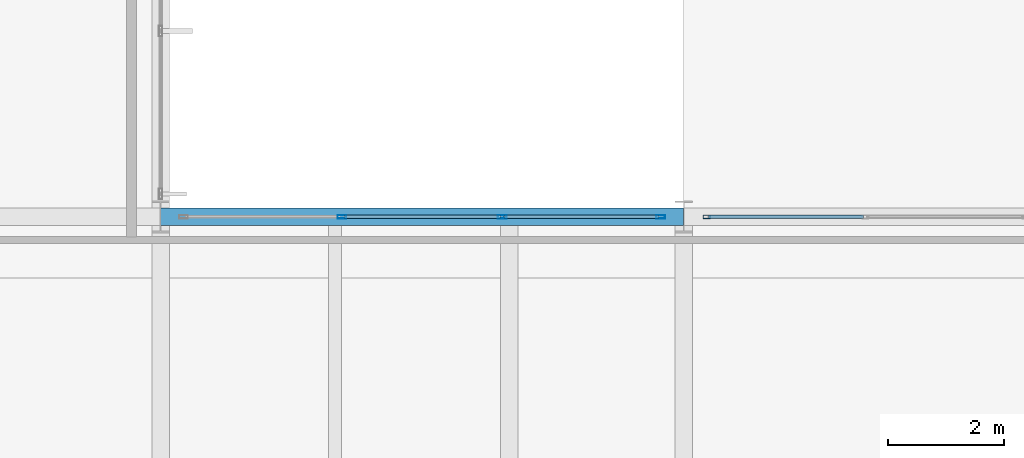
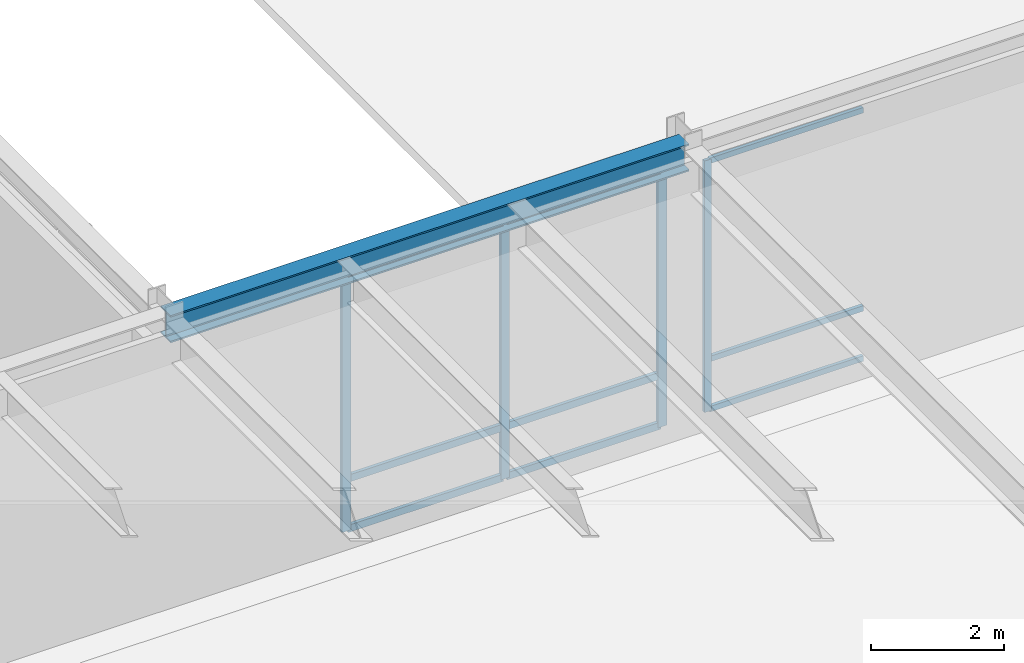
# One storey, part 96 of 143: 13 members, 1 beam, 2 elements without a shape of their own.
"""IFC4 building model written with IfcOpenShell, lengths in metres."""

from ifc_helpers import new_model, si_unit, direction, frame, origin, origin_2d, place, context, subcontext, project, spatial, hollow_rectangle, i_section, extrude, material, layer, layer_set, material_profile, profile_set, type_object, element, aggregate, save


model = new_model("IFC4")

# Units and contexts
model_context = context("Model", 3, precision=1e-05, world=origin(), true_north=direction((0.0, 1.0)))
body_context = subcontext(model_context, "Body", "Model", "MODEL_VIEW")
ifc_project = project(units=[si_unit("LENGTHUNIT", "METRE"), si_unit("AREAUNIT", "SQUARE_METRE"), si_unit("VOLUMEUNIT", "CUBIC_METRE"), si_unit("PLANEANGLEUNIT", "RADIAN"), si_unit("MASSUNIT", "GRAM", prefix="KILO")], contexts=[model_context])

# Site, building, storey
site_placement = place(None, origin())
site = spatial("IfcSite", under=ifc_project, at=site_placement, CompositionType="ELEMENT")
building_placement = place(site_placement, origin())
building = spatial("IfcBuilding", under=site, at=building_placement, Name="Montelvaro Courts of Justice", CompositionType="ELEMENT")
storey_placement = place(building_placement, origin())
storey = spatial("IfcBuildingStorey", under=building, at=storey_placement, Name="L00", CompositionType="ELEMENT", Elevation=0.0)

# Beam
ifc_material_1 = material(Name="Steel S355", Category="steel")
ifc_material_profile_1 = material_profile(ifc_material_1, i_section(OverallWidth=0.300048828125, OverallDepth=0.5, WebThickness=0.014404296875, FlangeThickness=0.028076171875, at=origin_2d()), Name="HEB 500")
ifc_profile_set_1 = profile_set([ifc_material_profile_1], Name="Steel S355")
beam_type = type_object("IfcBeamType", Name="Beam_HEB500", PredefinedType="USERDEFINED", material=ifc_profile_set_1)
beam_placement = place(storey_placement, frame((126.0, 42.0, 4.8701171875), z_axis=(1.0, 0.0, 0.0), x_axis=(0.0, 1.0, 0.0)))
element("IfcBeam", 1, at=beam_placement, inside=storey, type_object=beam_type, Name="Beam B-25 L00", ObjectType="GIRDER", PredefinedType="USERDEFINED", context=body_context, shape_type="SweptSolid", body=[
    extrude(i_section(OverallWidth=0.300048828125, OverallDepth=0.5, WebThickness=0.014404296875, FlangeThickness=0.028076171875, at=origin_2d()), origin(), (0.0, 0.0, 1.0), 9.0),
])

# Curtain wall, member
ifc_material_2 = material(Name="Anodised aluminium EN AW-6063", Category="aluminium")
ifc_layer = layer(ifc_material_2, 0.159912109375)
ifc_layer_set = layer_set([ifc_layer], Name="Anodised aluminium EN AW-6063")
curtain_wall_type = type_object("IfcCurtainWallType", Name="CurtainWall_01_827x508", PredefinedType="USERDEFINED", material=ifc_layer_set)
curtain_wall_1_placement = place(storey_placement, origin())
curtain_wall_1 = element("IfcCurtainWall", 2, at=curtain_wall_1_placement, inside=storey, type_object=curtain_wall_type, Name="Curtain Wall CW-01 (L00)", ObjectType="CURTAIN WALL", PredefinedType="USERDEFINED")
ifc_material_profile_2 = material_profile(ifc_material_2, hollow_rectangle(XDim=0.06005859375, YDim=0.1201171875, WallThickness=0.00341796875, at=origin_2d()), Name="ALU-M 60x120")
ifc_profile_set_2 = profile_set([ifc_material_profile_2], Name="Anodised aluminium EN AW-6063")
member_type_1 = type_object("IfcMemberType", Name="CurtainWall_Mullion_60x120", PredefinedType="MULLION", material=ifc_profile_set_2)
member_1_placement = place(storey_placement, frame((135.39501953125, 42.0, 0.0), z_axis=(0.0, 0.0, 1.0), x_axis=(0.0, -1.0, 0.0)))
member_1 = element("IfcMember", 3, at=member_1_placement, type_object=member_type_1, Name="CW-01 mullion 4", PredefinedType="MULLION", context=body_context, shape_type="SweptSolid", body=[
    extrude(hollow_rectangle(XDim=0.06005859375, YDim=0.1201171875, WallThickness=0.00341796875, at=origin_2d()), origin(), (0.0, 0.0, 1.0), 4.614990234375),
])

# Curtain wall, members
curtain_wall_2_placement = place(storey_placement, origin())
curtain_wall_2 = element("IfcCurtainWall", 4, at=curtain_wall_2_placement, inside=storey, type_object=curtain_wall_type, Name="Curtain Wall CW-01 (L00)", ObjectType="CURTAIN WALL", PredefinedType="USERDEFINED")
ifc_material_profile_3 = material_profile(ifc_material_2, hollow_rectangle(XDim=0.06005859375, YDim=0.14990234375, WallThickness=0.00390625, at=origin_2d()), Name="ALU-M 60x150")
ifc_profile_set_3 = profile_set([ifc_material_profile_3], Name="Anodised aluminium EN AW-6063")
member_type_2 = type_object("IfcMemberType", Name="CurtainWall_Mullion_60x150", PredefinedType="MULLION", material=ifc_profile_set_3)
member_2_placement = place(storey_placement, frame((134.60498046875, 42.0, 0.0), z_axis=(0.0, 0.0, 1.0), x_axis=(0.0, -1.0, 0.0)))
member_2 = element("IfcMember", 5, at=member_2_placement, type_object=member_type_2, Name="CW-01 mullion 1", PredefinedType="MULLION", context=body_context, shape_type="SweptSolid", body=[
    extrude(hollow_rectangle(XDim=0.06005859375, YDim=0.14990234375, WallThickness=0.00390625, at=origin_2d()), origin(), (0.0, 0.0, 1.0), 4.614990234375),
])
member_3_placement = place(storey_placement, frame((131.87841796875, 42.0, 0.0), z_axis=(0.0, 0.0, 1.0), x_axis=(0.0, -1.0, 0.0)))
member_3 = element("IfcMember", 6, at=member_3_placement, type_object=member_type_2, Name="CW-01 mullion 2", PredefinedType="MULLION", context=body_context, shape_type="SweptSolid", body=[
    extrude(hollow_rectangle(XDim=0.06005859375, YDim=0.14990234375, WallThickness=0.00390625, at=origin_2d()), origin(), (0.0, 0.0, 1.0), 4.614990234375),
])
member_4_placement = place(storey_placement, frame((129.12158203125, 42.0, 0.0), z_axis=(0.0, 0.0, 1.0), x_axis=(0.0, -1.0, 0.0)))
member_4 = element("IfcMember", 7, at=member_4_placement, type_object=member_type_2, Name="CW-01 mullion 3", PredefinedType="MULLION", context=body_context, shape_type="SweptSolid", body=[
    extrude(hollow_rectangle(XDim=0.06005859375, YDim=0.14990234375, WallThickness=0.00390625, at=origin_2d()), origin(), (0.0, 0.0, 1.0), 4.614990234375),
])

# Member
ifc_material_profile_4 = material_profile(ifc_material_2, hollow_rectangle(XDim=0.06005859375, YDim=0.10009765625, WallThickness=0.00341796875, at=origin_2d()), Name="ALU-T 60x100")
ifc_profile_set_4 = profile_set([ifc_material_profile_4], Name="Anodised aluminium EN AW-6063")
member_type_3 = type_object("IfcMemberType", Name="CurtainWall_Transom_60x100", PredefinedType="USERDEFINED", material=ifc_profile_set_4)
member_5_placement = place(storey_placement, frame((138.091552734375, 42.0, 0.030029296875), z_axis=(-1.0, 0.0, 0.0), x_axis=(0.0, -1.0, 0.0)))
member_5 = element("IfcMember", 8, at=member_5_placement, type_object=member_type_3, Name="CW-01 transom 3.1", ObjectType="TRANSOM", PredefinedType="USERDEFINED", context=body_context, shape_type="SweptSolid", body=[
    extrude(hollow_rectangle(XDim=0.06005859375, YDim=0.10009765625, WallThickness=0.00341796875, at=origin_2d()), origin(), (0.0, 0.0, 1.0), 2.66650390625),
])

member_6_placement = place(storey_placement, frame((138.091552734375, 42.0, 0.949951171875), z_axis=(-1.0, 0.0, 0.0), x_axis=(0.0, -1.0, 0.0)))
member_6 = element("IfcMember", 9, at=member_6_placement, type_object=member_type_3, Name="CW-01 transom 3.2", ObjectType="TRANSOM", PredefinedType="USERDEFINED", context=body_context, shape_type="SweptSolid", body=[
    extrude(hollow_rectangle(XDim=0.06005859375, YDim=0.10009765625, WallThickness=0.00341796875, at=origin_2d()), origin(), (0.0, 0.0, 1.0), 2.66650390625),
])

member_7_placement = place(storey_placement, frame((138.091552734375, 42.0, 4.5849609375), z_axis=(-1.0, 0.0, 0.0), x_axis=(0.0, -1.0, 0.0)))
member_7 = element("IfcMember", 10, at=member_7_placement, type_object=member_type_3, Name="CW-01 transom 3.3", ObjectType="TRANSOM", PredefinedType="USERDEFINED", context=body_context, shape_type="SweptSolid", body=[
    extrude(hollow_rectangle(XDim=0.06005859375, YDim=0.10009765625, WallThickness=0.00341796875, at=origin_2d()), origin(), (0.0, 0.0, 1.0), 2.66650390625),
])

aggregate(curtain_wall_1, [member_1, member_5, member_6, member_7])

ifc_material_profile_5 = material_profile(ifc_material_2, hollow_rectangle(XDim=0.06005859375, YDim=0.1298828125, WallThickness=0.00390625, at=origin_2d()), Name="ALU-T 60x130")
ifc_profile_set_5 = profile_set([ifc_material_profile_5], Name="Anodised aluminium EN AW-6063")
member_type_4 = type_object("IfcMemberType", Name="CurtainWall_Transom_60x130", PredefinedType="USERDEFINED", material=ifc_profile_set_5)
member_8_placement = place(storey_placement, frame((134.574951171875, 42.0, 0.030029296875), z_axis=(-1.0, 0.0, 0.0), x_axis=(0.0, -1.0, 0.0)))
member_8 = element("IfcMember", 11, at=member_8_placement, type_object=member_type_4, Name="CW-01 transom 1.1", ObjectType="TRANSOM", PredefinedType="USERDEFINED", context=body_context, shape_type="SweptSolid", body=[
    extrude(hollow_rectangle(XDim=0.06005859375, YDim=0.1298828125, WallThickness=0.00390625, at=origin_2d()), origin(), (0.0, 0.0, 1.0), 2.66650390625),
])

member_9_placement = place(storey_placement, frame((134.574951171875, 42.0, 0.949951171875), z_axis=(-1.0, 0.0, 0.0), x_axis=(0.0, -1.0, 0.0)))
member_9 = element("IfcMember", 12, at=member_9_placement, type_object=member_type_4, Name="CW-01 transom 1.2", ObjectType="TRANSOM", PredefinedType="USERDEFINED", context=body_context, shape_type="SweptSolid", body=[
    extrude(hollow_rectangle(XDim=0.06005859375, YDim=0.1298828125, WallThickness=0.00390625, at=origin_2d()), origin(), (0.0, 0.0, 1.0), 2.66650390625),
])

member_10_placement = place(storey_placement, frame((134.574951171875, 42.0, 4.5849609375), z_axis=(-1.0, 0.0, 0.0), x_axis=(0.0, -1.0, 0.0)))
member_10 = element("IfcMember", 13, at=member_10_placement, type_object=member_type_4, Name="CW-01 transom 1.3", ObjectType="TRANSOM", PredefinedType="USERDEFINED", context=body_context, shape_type="SweptSolid", body=[
    extrude(hollow_rectangle(XDim=0.06005859375, YDim=0.1298828125, WallThickness=0.00390625, at=origin_2d()), origin(), (0.0, 0.0, 1.0), 2.66650390625),
])

member_11_placement = place(storey_placement, frame((131.848388671875, 42.0, 0.030029296875), z_axis=(-1.0, 0.0, 0.0), x_axis=(0.0, -1.0, 0.0)))
member_11 = element("IfcMember", 14, at=member_11_placement, type_object=member_type_4, Name="CW-01 transom 2.1", ObjectType="TRANSOM", PredefinedType="USERDEFINED", context=body_context, shape_type="SweptSolid", body=[
    extrude(hollow_rectangle(XDim=0.06005859375, YDim=0.1298828125, WallThickness=0.00390625, at=origin_2d()), origin(), (0.0, 0.0, 1.0), 2.69677734375),
])

member_12_placement = place(storey_placement, frame((131.848388671875, 42.0, 0.949951171875), z_axis=(-1.0, 0.0, 0.0), x_axis=(0.0, -1.0, 0.0)))
member_12 = element("IfcMember", 15, at=member_12_placement, type_object=member_type_4, Name="CW-01 transom 2.2", ObjectType="TRANSOM", PredefinedType="USERDEFINED", context=body_context, shape_type="SweptSolid", body=[
    extrude(hollow_rectangle(XDim=0.06005859375, YDim=0.1298828125, WallThickness=0.00390625, at=origin_2d()), origin(), (0.0, 0.0, 1.0), 2.69677734375),
])

member_13_placement = place(storey_placement, frame((131.848388671875, 42.0, 4.5849609375), z_axis=(-1.0, 0.0, 0.0), x_axis=(0.0, -1.0, 0.0)))
member_13 = element("IfcMember", 16, at=member_13_placement, type_object=member_type_4, Name="CW-01 transom 2.3", ObjectType="TRANSOM", PredefinedType="USERDEFINED", context=body_context, shape_type="SweptSolid", body=[
    extrude(hollow_rectangle(XDim=0.06005859375, YDim=0.1298828125, WallThickness=0.00390625, at=origin_2d()), origin(), (0.0, 0.0, 1.0), 2.69677734375),
])

aggregate(curtain_wall_2, [member_2, member_3, member_4, member_8, member_9, member_10, member_11, member_12, member_13])

save(model, "model.ifc")
